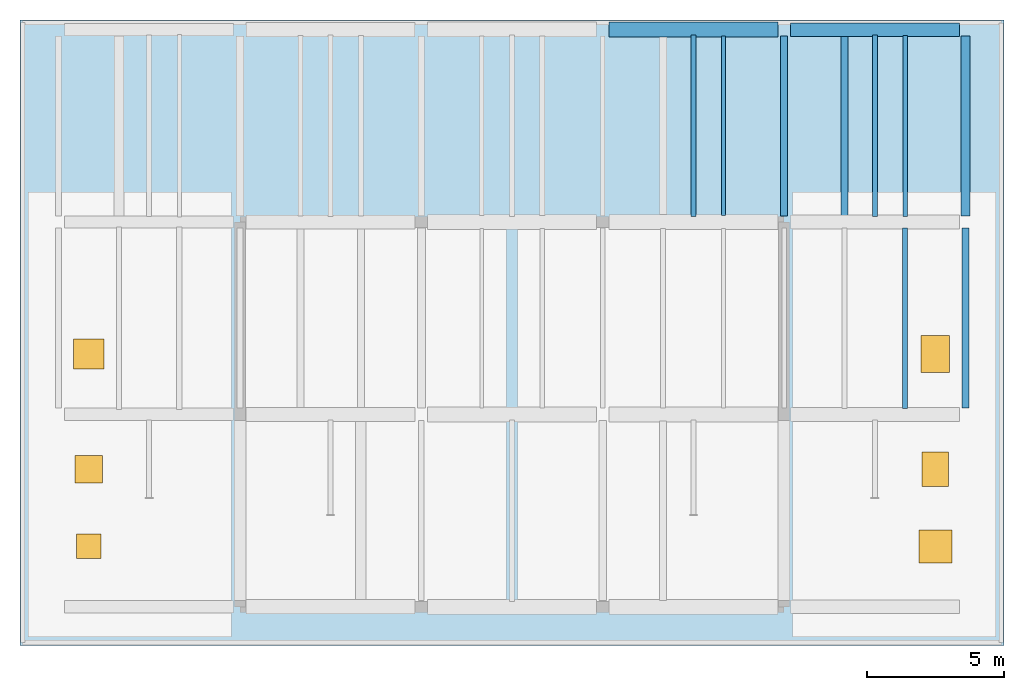
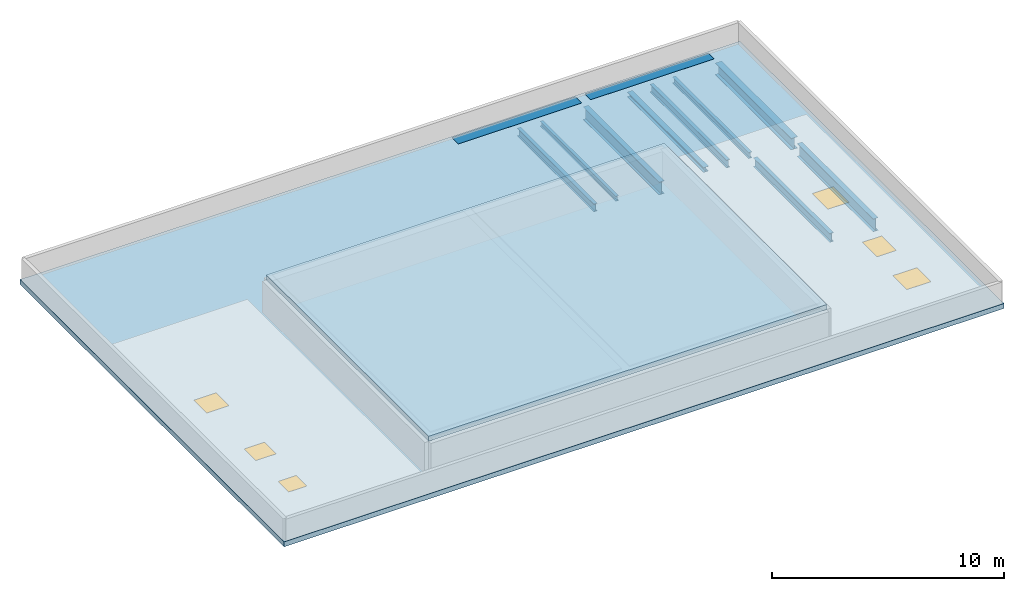
"""IFC4 building model written with IfcOpenShell, lengths in metres."""

from ifc_helpers import new_model, si_unit, direction, frame, origin, origin_2d, place, context, subcontext, project, spatial, polyline, rectangle, i_section, outline, extrude, material, layer, layer_set, material_profile, profile_set, type_object, element, fill, aggregate, save


model = new_model("IFC4")

# Units and contexts
model_context = context("Model", 3, precision=1e-05, world=origin(), true_north=direction((0.0, 1.0)))
body_context = subcontext(model_context, "Body", "Model", "MODEL_VIEW")
ifc_project = project(units=[si_unit("LENGTHUNIT", "METRE"), si_unit("AREAUNIT", "SQUARE_METRE"), si_unit("VOLUMEUNIT", "CUBIC_METRE"), si_unit("PLANEANGLEUNIT", "RADIAN"), si_unit("MASSUNIT", "GRAM", prefix="KILO")], contexts=[model_context])

# Site, building, storey
site_placement = place(None, origin())
site = spatial("IfcSite", under=ifc_project, at=site_placement, CompositionType="ELEMENT")
building_placement = place(site_placement, origin())
building = spatial("IfcBuilding", under=site, at=building_placement, Name="Ciguamira Faculty of Natural Sciences", CompositionType="ELEMENT")
storey_1_placement = place(building_placement, frame((0.0, 0.0, 50.39990234375)))
storey_1 = spatial("IfcBuildingStorey", under=building, at=storey_1_placement, Name="Roof", CompositionType="ELEMENT", Elevation=50.39990234375)

# Beams
ifc_material_1 = material(Name="Concrete C40/50", Category="concrete")
ifc_material_profile_1 = material_profile(ifc_material_1, rectangle(XDim=0.550048828125, YDim=1.050048828125, at=origin_2d()), Name="RC-BM-550X1050")
ifc_profile_set_1 = profile_set([ifc_material_profile_1], Name="Concrete C40/50")
beam_type_1 = type_object("IfcBeamType", Name="RCBeam_BG-01_RC-BM-550X1050", PredefinedType="BEAM", material=ifc_profile_set_1)
beam_1_placement = place(storey_1_placement, frame((90.52490234375, 115.0, -0.52490234375), z_axis=(1.0, 0.0, 0.0), x_axis=(0.0, 1.0, 0.0)))
element("IfcBeam", 1, at=beam_1_placement, inside=storey_1, type_object=beam_type_1, Name="Roof RC girder EW-1760", PredefinedType="BEAM", context=body_context, shape_type="SweptSolid", body=[
    extrude(rectangle(XDim=0.550048828125, YDim=1.050048828125, at=origin_2d()), origin(), (0.0, 0.0, 1.0), 6.150146484375),
])
ifc_material_profile_2 = material_profile(ifc_material_1, rectangle(XDim=0.5, YDim=0.949951171875, at=origin_2d()), Name="RC-BM-500X950")
ifc_profile_set_2 = profile_set([ifc_material_profile_2], Name="Concrete C40/50")
beam_type_2 = type_object("IfcBeamType", Name="RCBeam_BG-02_RC-BM-500X950", PredefinedType="BEAM", material=ifc_profile_set_2)
beam_2_placement = place(storey_1_placement, frame((97.125, 115.0, -0.474853515625), z_axis=(1.0, 0.0, 0.0), x_axis=(0.0, 1.0, 0.0)))
element("IfcBeam", 2, at=beam_2_placement, inside=storey_1, type_object=beam_type_2, Name="Roof RC girder EW-1761", PredefinedType="BEAM", context=body_context, shape_type="SweptSolid", body=[
    extrude(rectangle(XDim=0.5, YDim=0.949951171875, at=origin_2d()), origin(), (0.0, 0.0, 1.0), 6.14990234375),
])
ifc_material_2 = material(Name="Steel ASTM A992 Grade 50", Category="steel")
ifc_material_profile_3 = material_profile(ifc_material_2, i_section(OverallWidth=0.3251953125, OverallDepth=0.612060546875, WebThickness=0.0126953125, FlangeThickness=0.01904296875, at=origin_2d()), Name="W24X104")
ifc_profile_set_3 = profile_set([ifc_material_profile_3], Name="Steel ASTM A992 Grade 50")
beam_type_3 = type_object("IfcBeamType", Name="SteelGirder_SB-30_W24X104", PredefinedType="BEAM", material=ifc_profile_set_3)
beam_3_placement = place(storey_1_placement, frame((103.5, 108.22509765625, -0.56591796875), z_axis=(0.0, 1.0, 0.0), x_axis=(-1.0, 0.0, 0.0)))
element("IfcBeam", 3, at=beam_3_placement, inside=storey_1, type_object=beam_type_3, Name="Roof girder NS-1775", PredefinedType="BEAM", context=body_context, shape_type="SweptSolid", body=[
    extrude(i_section(OverallWidth=0.3251953125, OverallDepth=0.612060546875, WebThickness=0.0126953125, FlangeThickness=0.01904296875, at=origin_2d()), origin(), (0.0, 0.0, 1.0), 6.5498046875),
])
ifc_material_profile_4 = material_profile(ifc_material_2, i_section(OverallWidth=0.25390625, OverallDepth=0.67822265625, WebThickness=0.01171875, FlangeThickness=0.016357421875, at=origin_2d()), Name="W27X84")
ifc_profile_set_4 = profile_set([ifc_material_profile_4], Name="Steel ASTM A992 Grade 50")
beam_type_4 = type_object("IfcBeamType", Name="SteelGirder_SB-34_W27X84", PredefinedType="BEAM", material=ifc_profile_set_4)
for number, where, z_axis, x_axis, name in (
    (4, (96.89990234375, 108.22509765625, -0.59912109375), (0.0, 1.0, 0.0), (-1.0, 0.0, 0.0), "Roof girder NS-1773"),
    (5, (103.5, 101.22509765625, -0.59912109375), (0.0, 1.0, 0.0), (-1.0, 0.0, 0.0), "Roof girder NS-1774"),
):
    element("IfcBeam", number, at=place(storey_1_placement, frame(where, z_axis=z_axis, x_axis=x_axis)), inside=storey_1, type_object=beam_type_4, Name=name, PredefinedType="BEAM", context=body_context, shape_type="SweptSolid", body=[
        extrude(i_section(OverallWidth=0.25390625, OverallDepth=0.67822265625, WebThickness=0.01171875, FlangeThickness=0.016357421875, at=origin_2d()), origin(), (0.0, 0.0, 1.0), 6.5498046875),
    ])
ifc_material_profile_5 = material_profile(ifc_material_2, i_section(OverallWidth=0.14599609375, OverallDepth=0.259033203125, WebThickness=0.006103515625, FlangeThickness=0.009033203125, at=origin_2d()), Name="W10X22")
ifc_profile_set_5 = profile_set([ifc_material_profile_5], Name="Steel ASTM A992 Grade 50")
beam_type_5 = type_object("IfcBeamType", Name="SteelJoist_SJ-01_W10X22", PredefinedType="JOIST", material=ifc_profile_set_5)
beam_4_placement = place(storey_1_placement, frame((94.699951171875, 108.235107421875, -0.389404296875), z_axis=(0.0, 1.0, 0.0), x_axis=(-1.0, 0.0, 0.0)))
element("IfcBeam", 6, at=beam_4_placement, inside=storey_1, type_object=beam_type_5, Name="Roof composite steel joist 01567", PredefinedType="JOIST", context=body_context, shape_type="SweptSolid", body=[
    extrude(i_section(OverallWidth=0.14599609375, OverallDepth=0.259033203125, WebThickness=0.006103515625, FlangeThickness=0.009033203125, at=origin_2d()), origin(), (0.0, 0.0, 1.0), 6.52978515625),
])
ifc_material_profile_6 = material_profile(ifc_material_2, i_section(OverallWidth=0.25390625, OverallDepth=0.25390625, WebThickness=0.008544921875, FlangeThickness=0.01416015625, at=origin_2d()), Name="W10X49")
ifc_profile_set_6 = profile_set([ifc_material_profile_6], Name="Steel ASTM A992 Grade 50")
beam_type_6 = type_object("IfcBeamType", Name="SteelJoist_SJ-03_W10X49", PredefinedType="JOIST", material=ifc_profile_set_6)
beam_5_placement = place(storey_1_placement, frame((99.10009765625, 108.2099609375, -0.386962890625), z_axis=(0.0, 1.0, 0.0), x_axis=(-1.0, 0.0, 0.0)))
element("IfcBeam", 7, at=beam_5_placement, inside=storey_1, type_object=beam_type_6, Name="Roof composite steel joist 01570", PredefinedType="JOIST", context=body_context, shape_type="SweptSolid", body=[
    extrude(i_section(OverallWidth=0.25390625, OverallDepth=0.25390625, WebThickness=0.008544921875, FlangeThickness=0.01416015625, at=origin_2d()), origin(), (0.0, 0.0, 1.0), 6.580078125),
])
ifc_material_profile_7 = material_profile(ifc_material_2, i_section(OverallWidth=0.164794921875, OverallDepth=0.309814453125, WebThickness=0.005859375, FlangeThickness=0.009765625, at=origin_2d()), Name="W12X26")
ifc_profile_set_7 = profile_set([ifc_material_profile_7], Name="Steel ASTM A992 Grade 50")
beam_type_7 = type_object("IfcBeamType", Name="SteelJoist_SJ-04_W12X26", PredefinedType="JOIST", material=ifc_profile_set_7)
beam_6_placement = place(storey_1_placement, frame((101.300048828125, 108.2099609375, -0.414794921875), z_axis=(0.0, 1.0, 0.0), x_axis=(-1.0, 0.0, 0.0)))
element("IfcBeam", 8, at=beam_6_placement, inside=storey_1, type_object=beam_type_7, Name="Roof composite steel joist 01571", PredefinedType="JOIST", context=body_context, shape_type="SweptSolid", body=[
    extrude(i_section(OverallWidth=0.164794921875, OverallDepth=0.309814453125, WebThickness=0.005859375, FlangeThickness=0.009765625, at=origin_2d()), origin(), (0.0, 0.0, 1.0), 6.580078125),
])
ifc_material_profile_8 = material_profile(ifc_material_2, i_section(OverallWidth=0.1787109375, OverallDepth=0.408935546875, WebThickness=0.0087890625, FlangeThickness=0.014404296875, at=origin_2d()), Name="W16X45")
ifc_profile_set_8 = profile_set([ifc_material_profile_8], Name="Steel ASTM A992 Grade 50")
beam_type_8 = type_object("IfcBeamType", Name="SteelJoist_SJ-19_W16X45", PredefinedType="JOIST", material=ifc_profile_set_8)
for number, where, z_axis, x_axis, name in (
    (9, (93.60009765625, 108.199951171875, -0.46435546875), (0.0, 1.0, 0.0), (-1.0, 0.0, 0.0), "Roof hurricane eave outrigger 008"),
    (10, (100.199951171875, 108.199951171875, -0.46435546875), (0.0, 1.0, 0.0), (-1.0, 0.0, 0.0), "Roof hurricane eave outrigger 010"),
):
    element("IfcBeam", number, at=place(storey_1_placement, frame(where, z_axis=z_axis, x_axis=x_axis)), inside=storey_1, type_object=beam_type_8, Name=name, PredefinedType="JOIST", context=body_context, shape_type="SweptSolid", body=[
        extrude(i_section(OverallWidth=0.1787109375, OverallDepth=0.408935546875, WebThickness=0.0087890625, FlangeThickness=0.014404296875, at=origin_2d()), origin(), (0.0, 0.0, 1.0), 6.60009765625),
    ])
ifc_material_profile_9 = material_profile(ifc_material_2, i_section(OverallWidth=0.19287109375, OverallDepth=0.46728515625, WebThickness=0.011474609375, FlangeThickness=0.01904296875, at=origin_2d()), Name="W18X65")
ifc_profile_set_9 = profile_set([ifc_material_profile_9], Name="Steel ASTM A992 Grade 50")
beam_type_9 = type_object("IfcBeamType", Name="SteelJoist_SJ-24_W18X65", PredefinedType="JOIST", material=ifc_profile_set_9)
beam_7_placement = place(storey_1_placement, frame((101.300048828125, 101.2099609375, -0.49365234375), z_axis=(0.0, 1.0, 0.0), x_axis=(-1.0, 0.0, 0.0)))
element("IfcBeam", 11, at=beam_7_placement, inside=storey_1, type_object=beam_type_9, Name="Roof composite steel joist 01569", PredefinedType="JOIST", context=body_context, shape_type="SweptSolid", body=[
    extrude(i_section(OverallWidth=0.19287109375, OverallDepth=0.46728515625, WebThickness=0.011474609375, FlangeThickness=0.01904296875, at=origin_2d()), origin(), (0.0, 0.0, 1.0), 6.580078125),
])

# Roof, slab, openings
roof_type = type_object("IfcRoofType", Name="RoofSys_RF-FLT", PredefinedType="FLAT_ROOF", material=ifc_material_1)
roof_placement = place(storey_1_placement, origin())
roof = element("IfcRoof", 12, at=roof_placement, inside=storey_1, type_object=roof_type, Name="Tower Hurricane Flat Roof System", PredefinedType="FLAT_ROOF")
ifc_layer = layer(ifc_material_1, 0.260009765625, Name="Concrete C40/50")
ifc_layer_set = layer_set([ifc_layer], Name="Concrete C40/50")
slab_type = type_object("IfcSlabType", Name="Slab_SR-04_260", PredefinedType="ROOF", material=ifc_layer_set)
slab_1_placement = place(storey_1_placement, frame((0.0, 0.0, -0.260009765625)))
slab_1 = element("IfcSlab", 13, at=slab_1_placement, type_object=slab_type, Name="Tower Main Hurricane Roof Slab", PredefinedType="ROOF", context=body_context, shape_type="SweptSolid", body=[
    extrude(outline(polyline([(69.10009765625, 92.60009765625), (104.89990234375, 92.60009765625), (104.89990234375, 115.35009765625), (69.10009765625, 115.35009765625), (69.10009765625, 92.60009765625)])), origin(), (0.0, 0.0, 1.0), 0.260009765625),
])
opening_1_placement = place(slab_1_placement, frame((71.60009765625, 96.199951171875, -0.010009765625)))
opening_1 = element("IfcOpeningElement", 14, at=opening_1_placement, cuts=slab_1, Name="Opening SK-01", PredefinedType="OPENING", context=body_context, shape_type="SweptSolid", body=[
    extrude(rectangle(XDim=0.89990234375, YDim=0.89990234375, at=origin_2d()), origin(), (0.0, 0.0, 1.0), 0.280029296875),
])
opening_2_placement = place(slab_1_placement, frame((71.60009765625, 99.0, -0.010009765625)))
opening_2 = element("IfcOpeningElement", 15, at=opening_2_placement, cuts=slab_1, Name="Opening SK-02", PredefinedType="OPENING", context=body_context, shape_type="SweptSolid", body=[
    extrude(rectangle(XDim=1.0, YDim=1.0, at=origin_2d()), origin(), (0.0, 0.0, 1.0), 0.280029296875),
])
opening_3_placement = place(slab_1_placement, frame((71.60009765625, 103.199951171875, -0.010009765625)))
opening_3 = element("IfcOpeningElement", 16, at=opening_3_placement, cuts=slab_1, Name="Opening SK-03", PredefinedType="OPENING", context=body_context, shape_type="SweptSolid", body=[
    extrude(rectangle(XDim=1.10009765625, YDim=1.10009765625, at=origin_2d()), origin(), (0.0, 0.0, 1.0), 0.280029296875),
])
opening_4_placement = place(slab_1_placement, frame((102.39990234375, 96.199951171875, -0.010009765625)))
opening_4 = element("IfcOpeningElement", 17, at=opening_4_placement, cuts=slab_1, Name="Opening SK-04", PredefinedType="OPENING", context=body_context, shape_type="SweptSolid", body=[
    extrude(rectangle(XDim=1.199951171875, YDim=1.199951171875, at=origin_2d()), origin(), (0.0, 0.0, 1.0), 0.280029296875),
])
opening_5_placement = place(slab_1_placement, frame((102.39990234375, 99.0, -0.010009765625)))
opening_5 = element("IfcOpeningElement", 18, at=opening_5_placement, cuts=slab_1, Name="Opening SK-05", PredefinedType="OPENING", context=body_context, shape_type="SweptSolid", body=[
    extrude(rectangle(XDim=0.949951171875, YDim=1.25, at=origin_2d()), origin(), (0.0, 0.0, 1.0), 0.280029296875),
])
opening_6_placement = place(slab_1_placement, frame((102.39990234375, 103.199951171875, -0.010009765625)))
opening_6 = element("IfcOpeningElement", 19, at=opening_6_placement, cuts=slab_1, Name="Opening SK-06", PredefinedType="OPENING", context=body_context, shape_type="SweptSolid", body=[
    extrude(rectangle(XDim=1.050048828125, YDim=1.35009765625, at=origin_2d()), origin(), (0.0, 0.0, 1.0), 0.280029296875),
])

# Storey
storey_2_placement = place(building_placement, frame((0.0, 0.0, 46.199951171875)))
storey_2 = spatial("IfcBuildingStorey", under=building, at=storey_2_placement, Name="L11", CompositionType="ELEMENT", Elevation=46.199951171875)

# Window
ifc_material_3 = material(Name="Laminated skylight solar glass", Category="glass")
window_type_1 = type_object("IfcWindowType", Name="Skylight_SK-01_900x900", PartitioningType="SINGLE_PANEL", PredefinedType="SKYLIGHT", material=ifc_material_3)
window_1_placement = place(slab_1_placement, frame((71.60009765625, 96.199951171875, 0.2099609375)))
window_1 = element("IfcWindow", 20, at=window_1_placement, inside=storey_2, type_object=window_type_1, Name="Roof laminated skylight 01", OverallHeight=0.89990234375, OverallWidth=0.89990234375, PartitioningType="SINGLE_PANEL", PredefinedType="SKYLIGHT", context=body_context, shape_type="SweptSolid", body=[
    extrude(rectangle(XDim=0.89990234375, YDim=0.89990234375, at=origin_2d()), origin(), (0.0, 0.0, 1.0), 0.050048828125),
])

fill(opening_1, window_1)

window_type_2 = type_object("IfcWindowType", Name="Skylight_SK-02_1000x1000", PartitioningType="SINGLE_PANEL", PredefinedType="SKYLIGHT", material=ifc_material_3)
window_2_placement = place(slab_1_placement, frame((71.60009765625, 99.0, 0.2099609375)))
window_2 = element("IfcWindow", 21, at=window_2_placement, inside=storey_2, type_object=window_type_2, Name="Roof laminated skylight 02", OverallHeight=1.0, OverallWidth=1.0, PartitioningType="SINGLE_PANEL", PredefinedType="SKYLIGHT", context=body_context, shape_type="SweptSolid", body=[
    extrude(rectangle(XDim=1.0, YDim=1.0, at=origin_2d()), origin(), (0.0, 0.0, 1.0), 0.050048828125),
])

fill(opening_2, window_2)

window_type_3 = type_object("IfcWindowType", Name="Skylight_SK-03_1100x1100", PartitioningType="SINGLE_PANEL", PredefinedType="SKYLIGHT", material=ifc_material_3)
window_3_placement = place(slab_1_placement, frame((71.60009765625, 103.199951171875, 0.2099609375)))
window_3 = element("IfcWindow", 22, at=window_3_placement, inside=storey_2, type_object=window_type_3, Name="Roof laminated skylight 03", OverallHeight=1.10009765625, OverallWidth=1.10009765625, PartitioningType="SINGLE_PANEL", PredefinedType="SKYLIGHT", context=body_context, shape_type="SweptSolid", body=[
    extrude(rectangle(XDim=1.10009765625, YDim=1.10009765625, at=origin_2d()), origin(), (0.0, 0.0, 1.0), 0.050048828125),
])

fill(opening_3, window_3)

window_type_4 = type_object("IfcWindowType", Name="Skylight_SK-04_1200x1200", PartitioningType="SINGLE_PANEL", PredefinedType="SKYLIGHT", material=ifc_material_3)
window_4_placement = place(slab_1_placement, frame((102.39990234375, 96.199951171875, 0.2099609375)))
window_4 = element("IfcWindow", 23, at=window_4_placement, inside=storey_2, type_object=window_type_4, Name="Roof laminated skylight 04", OverallHeight=1.199951171875, OverallWidth=1.199951171875, PartitioningType="SINGLE_PANEL", PredefinedType="SKYLIGHT", context=body_context, shape_type="SweptSolid", body=[
    extrude(rectangle(XDim=1.199951171875, YDim=1.199951171875, at=origin_2d()), origin(), (0.0, 0.0, 1.0), 0.050048828125),
])

fill(opening_4, window_4)

window_type_5 = type_object("IfcWindowType", Name="Skylight_SK-05_950x1250", PartitioningType="SINGLE_PANEL", PredefinedType="SKYLIGHT", material=ifc_material_3)
window_5_placement = place(slab_1_placement, frame((102.39990234375, 99.0, 0.2099609375)))
window_5 = element("IfcWindow", 24, at=window_5_placement, inside=storey_2, type_object=window_type_5, Name="Roof laminated skylight 05", OverallHeight=1.25, OverallWidth=0.949951171875, PartitioningType="SINGLE_PANEL", PredefinedType="SKYLIGHT", context=body_context, shape_type="SweptSolid", body=[
    extrude(rectangle(XDim=0.949951171875, YDim=1.25, at=origin_2d()), origin(), (0.0, 0.0, 1.0), 0.050048828125),
])

fill(opening_5, window_5)

window_type_6 = type_object("IfcWindowType", Name="Skylight_SK-06_1050x1350", PartitioningType="SINGLE_PANEL", PredefinedType="SKYLIGHT", material=ifc_material_3)
window_6_placement = place(slab_1_placement, frame((102.39990234375, 103.199951171875, 0.2099609375)))
window_6 = element("IfcWindow", 25, at=window_6_placement, inside=storey_2, type_object=window_type_6, Name="Roof laminated skylight 06", OverallHeight=1.35009765625, OverallWidth=1.050048828125, PartitioningType="SINGLE_PANEL", PredefinedType="SKYLIGHT", context=body_context, shape_type="SweptSolid", body=[
    extrude(rectangle(XDim=1.050048828125, YDim=1.35009765625, at=origin_2d()), origin(), (0.0, 0.0, 1.0), 0.050048828125),
])

fill(opening_6, window_6)

aggregate(roof, [slab_1])

# Slab
slab_2_placement = place(storey_1_placement, frame((0.0, 0.0, 1.64013671875)))
element("IfcSlab", 26, at=slab_2_placement, inside=storey_1, type_object=slab_type, Name="Roof enclosed mechanical screen cap slab", PredefinedType="ROOF", context=body_context, shape_type="SweptSolid", body=[
    extrude(outline(polyline([(77.10009765625, 94.0), (96.89990234375, 94.0), (96.89990234375, 108.0), (77.10009765625, 108.0), (77.10009765625, 94.0)])), origin(), (0.0, 0.0, 1.0), 0.260009765625),
])

save(model, "model.ifc")
